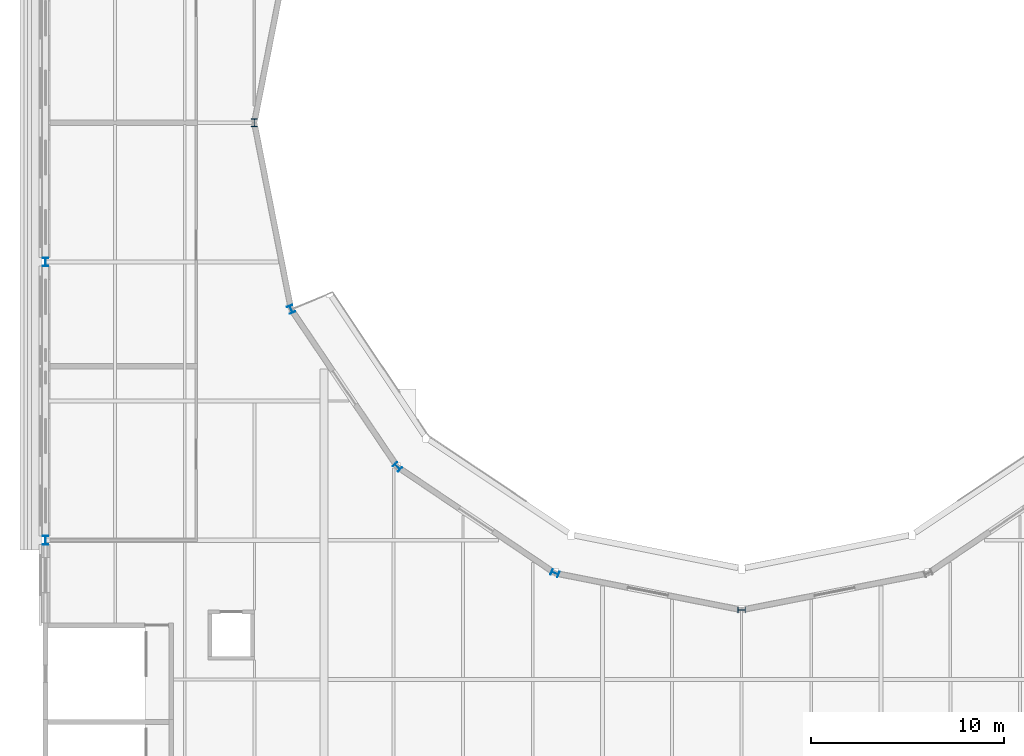
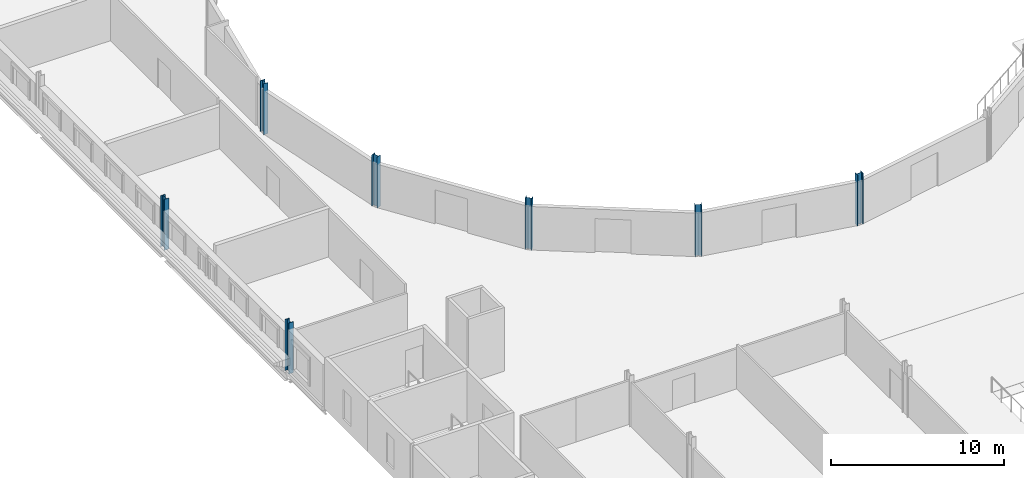
# One storey, part 3 of 142: 7 columns.
"""IFC4 building model written with IfcOpenShell, lengths in metres."""

from ifc_helpers import new_model, si_unit, direction, frame, origin, origin_2d, place, context, subcontext, project, spatial, i_section, extrude, material, material_profile, profile_set, type_object, element, save


model = new_model("IFC4")

# Units and contexts
model_context = context("Model", 3, precision=1e-05, world=origin(), true_north=direction((0.0, 1.0)))
body_context = subcontext(model_context, "Body", "Model", "MODEL_VIEW")
ifc_project = project(units=[si_unit("LENGTHUNIT", "METRE"), si_unit("AREAUNIT", "SQUARE_METRE"), si_unit("VOLUMEUNIT", "CUBIC_METRE"), si_unit("PLANEANGLEUNIT", "RADIAN"), si_unit("MASSUNIT", "GRAM", prefix="KILO")], contexts=[model_context])

# Site, building, storey
site_placement = place(None, origin())
site = spatial("IfcSite", under=ifc_project, at=site_placement, CompositionType="ELEMENT")
building_placement = place(site_placement, origin())
building = spatial("IfcBuilding", under=site, at=building_placement, Name="Kupolbacken Congress Centre", CompositionType="ELEMENT")
storey_placement = place(building_placement, frame((0.0, 0.0, 14.39990234375)))
storey = spatial("IfcBuildingStorey", under=building, at=storey_placement, Name="L04", CompositionType="ELEMENT", Elevation=14.39990234375)

# Columns
ifc_material_1 = material(Name="Steel S355", Category="steel")
ifc_material_profile_1 = material_profile(ifc_material_1, i_section(OverallWidth=0.300048828125, OverallDepth=0.449951171875, WebThickness=0.013916015625, FlangeThickness=0.02587890625, FilletRadius=0.027099609375, at=origin_2d()), Name="HEB 450")
ifc_profile_set_1 = profile_set([ifc_material_profile_1], Name="Steel S355")
column_type_1 = type_object("IfcColumnType", Name="C03 column HEB 450", PredefinedType="COLUMN", material=ifc_profile_set_1)
for number, where, z_axis, x_axis, name in (
    (1, (7.199951171875, 64.800048828125, 0.0), (0.0, 0.0, 1.0), (1.0, 0.0, 0.0), "S/col/C-P-2K/L04"),
    (2, (7.199951171875, 79.199951171875, 0.0), (0.0, 0.0, 1.0), (1.0, 0.0, 0.0), "S/col/C-P-2M/L04"),
):
    element("IfcColumn", number, at=place(storey_placement, frame(where, z_axis=z_axis, x_axis=x_axis)), inside=storey, type_object=column_type_1, Name=name, PredefinedType="COLUMN", context=body_context, shape_type="SweptSolid", body=[
        extrude(i_section(OverallWidth=0.300048828125, OverallDepth=0.449951171875, WebThickness=0.013916015625, FlangeThickness=0.02587890625, FilletRadius=0.027099609375, at=origin_2d()), origin(), (0.0, 0.0, 1.0), 3.60009765625),
    ])
ifc_material_2 = material(Name="Steel S355", Category="steel")
ifc_material_profile_2 = material_profile(ifc_material_2, i_section(OverallWidth=0.300048828125, OverallDepth=0.39990234375, WebThickness=0.013427734375, FlangeThickness=0.02392578125, FilletRadius=0.027099609375, at=origin_2d()), Name="HEB 400")
ifc_profile_set_2 = profile_set([ifc_material_profile_2], Name="Steel S355")
column_type_2 = type_object("IfcColumnType", Name="C08 column HEB 400", PredefinedType="COLUMN", material=ifc_profile_set_2)
for number, where, z_axis, x_axis, name in (
    (3, (18.0, 86.39990234375, 0.0), (0.0, 0.0, 1.0), (-1.0, 0.0, 0.0), "S/col/C-D09/L04"),
    (4, (19.89990234375, 76.75, 0.0), (0.0, 0.0, 1.0), (-0.923896018243, -0.382643629864, 0.0), "S/col/C-D10/L04"),
    (5, (25.39990234375, 68.60009765625, 0.0), (0.0, 0.0, 1.0), (-0.707106781187, -0.707106781187, 0.0), "S/col/C-D11/L04"),
    (6, (33.550048828125, 63.10009765625, 0.0), (0.0, 0.0, 1.0), (-0.382643629864, -0.923896018243, 0.0), "S/col/C-D12/L04"),
    (7, (43.199951171875, 61.199951171875, 0.0), (0.0, 0.0, 1.0), (0.0, -1.0, 0.0), "S/col/C-D13/L04"),
):
    element("IfcColumn", number, at=place(storey_placement, frame(where, z_axis=z_axis, x_axis=x_axis)), inside=storey, type_object=column_type_2, Name=name, PredefinedType="COLUMN", context=body_context, shape_type="SweptSolid", body=[
        extrude(i_section(OverallWidth=0.300048828125, OverallDepth=0.39990234375, WebThickness=0.013427734375, FlangeThickness=0.02392578125, FilletRadius=0.027099609375, at=origin_2d()), origin(), (0.0, 0.0, 1.0), 3.60009765625),
    ])

save(model, "model.ifc")
